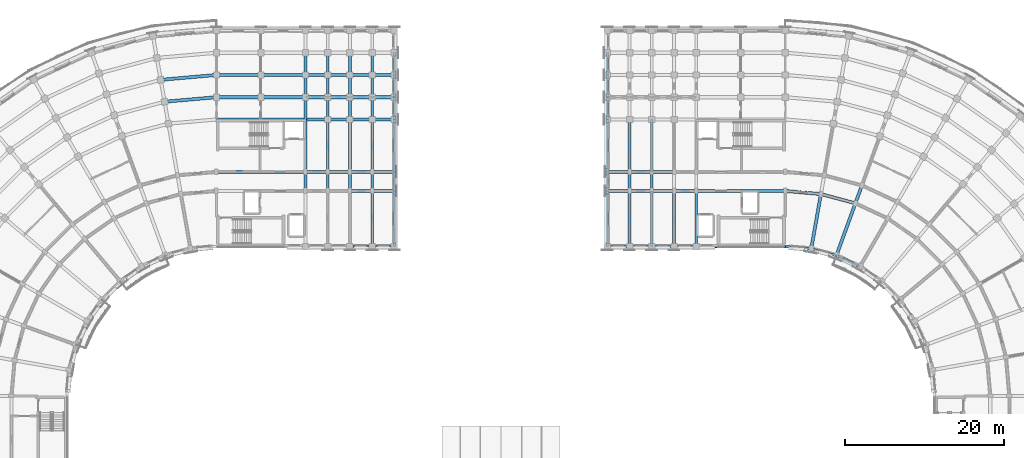
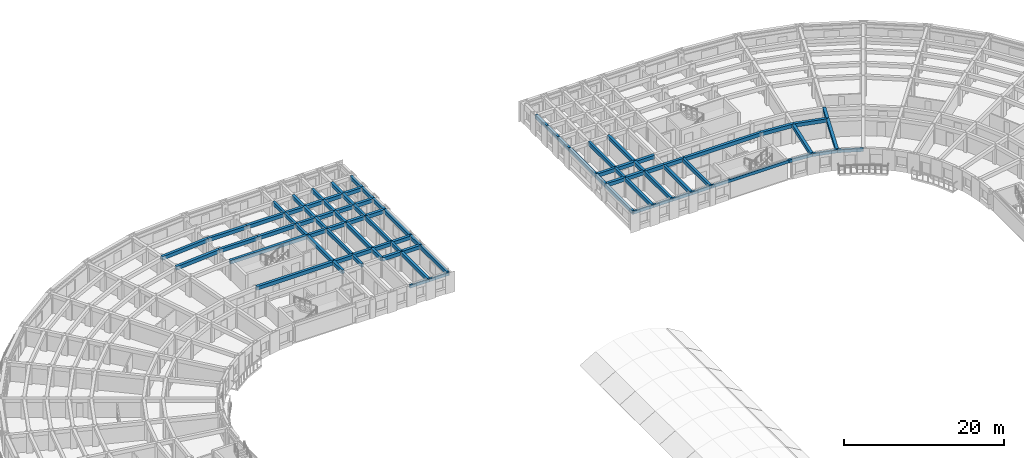
# One storey, part 9 of 54: 90 beams.
"""IFC4 building model written with IfcOpenShell, lengths in metres."""

from ifc_helpers import new_model, si_unit, direction, frame, origin, origin_2d, place, context, subcontext, project, spatial, rectangle, extrude, material, material_profile, profile_set, type_object, element, save


model = new_model("IFC4")

# Units and contexts
model_context = context("Model", 3, precision=1e-05, world=origin(), true_north=direction((0.0, 1.0)))
body_context = subcontext(model_context, "Body", "Model", "MODEL_VIEW")
ifc_project = project(units=[si_unit("LENGTHUNIT", "METRE"), si_unit("AREAUNIT", "SQUARE_METRE"), si_unit("VOLUMEUNIT", "CUBIC_METRE"), si_unit("PLANEANGLEUNIT", "RADIAN"), si_unit("MASSUNIT", "GRAM", prefix="KILO")], contexts=[model_context])

# Site, building, storey
site_placement = place(None, origin())
site = spatial("IfcSite", under=ifc_project, at=site_placement, CompositionType="ELEMENT")
building_placement = place(site_placement, origin())
building = spatial("IfcBuilding", under=site, at=building_placement, Name="Kiranvali Square Residences", CompositionType="ELEMENT")
storey_placement = place(building_placement, frame((0.0, 0.0, 15.0)))
storey = spatial("IfcBuildingStorey", under=building, at=storey_placement, Name="L04", CompositionType="ELEMENT", Elevation=15.0)

# Beams
ifc_material_1 = material(Name="Concrete M40 (40 MPa)", Category="concrete")
ifc_material_profile_1 = material_profile(ifc_material_1, rectangle(XDim=0.35009765625, YDim=0.550048828125, at=origin_2d()), Name="RC 350x550")
ifc_profile_set_1 = profile_set([ifc_material_profile_1], Name="Concrete M40 (40 MPa)")
beam_type_1 = type_object("IfcBeamType", Name="BM-M40-350x550", PredefinedType="BEAM", material=ifc_profile_set_1)
beam_1_placement = place(storey_placement, frame((59.39990234375, 113.60009765625, 2.655029296875), z_axis=(0.0, 1.0, 0.0), x_axis=(-1.0, 0.0, 0.0)))
element("IfcBeam", 1, at=beam_1_placement, inside=storey, type_object=beam_type_1, Name="L04 beam BM-A-L04-A1T1-12", PredefinedType="BEAM", context=body_context, shape_type="SweptSolid", body=[
    extrude(rectangle(XDim=0.35009765625, YDim=0.550048828125, at=origin_2d()), origin(), (0.0, 0.0, 1.0), 2.39990234375),
])
beam_2_placement = place(storey_placement, frame((59.39990234375, 116.0, 2.655029296875), z_axis=(0.0, 1.0, 0.0), x_axis=(-1.0, 0.0, 0.0)))
element("IfcBeam", 2, at=beam_2_placement, inside=storey, type_object=beam_type_1, Name="L04 beam BM-A-L04-A1T1-23", PredefinedType="BEAM", context=body_context, shape_type="SweptSolid", body=[
    extrude(rectangle(XDim=0.35009765625, YDim=0.550048828125, at=origin_2d()), origin(), (0.0, 0.0, 1.0), 6.60009765625),
])
beam_3_placement = place(storey_placement, frame((59.39990234375, 122.60009765625, 2.655029296875), z_axis=(0.0, 1.0, 0.0), x_axis=(-1.0, 0.0, 0.0)))
element("IfcBeam", 3, at=beam_3_placement, inside=storey, type_object=beam_type_1, Name="L04 beam BM-A-L04-A1T1-34", PredefinedType="BEAM", context=body_context, shape_type="SweptSolid", body=[
    extrude(rectangle(XDim=0.35009765625, YDim=0.550048828125, at=origin_2d()), origin(), (0.0, 0.0, 1.0), 2.7998046875),
])
for number, where, z_axis, x_axis, name in (
    (4, (59.39990234375, 125.39990234375, 2.655029296875), (0.0, 1.0, 0.0), (-1.0, 0.0, 0.0), "L04 beam BM-A-L04-A1T1-45"),
    (5, (59.39990234375, 128.199951171875, 2.655029296875), (0.0, 1.0, 0.0), (-1.0, 0.0, 0.0), "L04 beam BM-A-L04-A1T1-56"),
):
    element("IfcBeam", number, at=place(storey_placement, frame(where, z_axis=z_axis, x_axis=x_axis)), inside=storey, type_object=beam_type_1, Name=name, PredefinedType="BEAM", context=body_context, shape_type="SweptSolid", body=[
        extrude(rectangle(XDim=0.35009765625, YDim=0.550048828125, at=origin_2d()), origin(), (0.0, 0.0, 1.0), 2.800048828125),
    ])
beam_4_placement = place(storey_placement, frame((62.199951171875, 113.60009765625, 2.655029296875), z_axis=(0.0, 1.0, 0.0), x_axis=(-1.0, 0.0, 0.0)))
element("IfcBeam", 6, at=beam_4_placement, inside=storey, type_object=beam_type_1, Name="L04 beam BM-A-L04-A1T2-12", PredefinedType="BEAM", context=body_context, shape_type="SweptSolid", body=[
    extrude(rectangle(XDim=0.35009765625, YDim=0.550048828125, at=origin_2d()), origin(), (0.0, 0.0, 1.0), 2.39990234375),
])
beam_5_placement = place(storey_placement, frame((62.199951171875, 116.0, 2.655029296875), z_axis=(0.0, 1.0, 0.0), x_axis=(-1.0, 0.0, 0.0)))
element("IfcBeam", 7, at=beam_5_placement, inside=storey, type_object=beam_type_1, Name="L04 beam BM-A-L04-A1T2-23", PredefinedType="BEAM", context=body_context, shape_type="SweptSolid", body=[
    extrude(rectangle(XDim=0.35009765625, YDim=0.550048828125, at=origin_2d()), origin(), (0.0, 0.0, 1.0), 6.60009765625),
])
beam_6_placement = place(storey_placement, frame((62.199951171875, 122.60009765625, 2.655029296875), z_axis=(0.0, 1.0, 0.0), x_axis=(-1.0, 0.0, 0.0)))
element("IfcBeam", 8, at=beam_6_placement, inside=storey, type_object=beam_type_1, Name="L04 beam BM-A-L04-A1T2-34", PredefinedType="BEAM", context=body_context, shape_type="SweptSolid", body=[
    extrude(rectangle(XDim=0.35009765625, YDim=0.550048828125, at=origin_2d()), origin(), (0.0, 0.0, 1.0), 2.7998046875),
])
for number, where, z_axis, x_axis, name in (
    (9, (62.199951171875, 125.39990234375, 2.655029296875), (0.0, 1.0, 0.0), (-1.0, 0.0, 0.0), "L04 beam BM-A-L04-A1T2-45"),
    (10, (62.199951171875, 128.199951171875, 2.655029296875), (0.0, 1.0, 0.0), (-1.0, 0.0, 0.0), "L04 beam BM-A-L04-A1T2-56"),
):
    element("IfcBeam", number, at=place(storey_placement, frame(where, z_axis=z_axis, x_axis=x_axis)), inside=storey, type_object=beam_type_1, Name=name, PredefinedType="BEAM", context=body_context, shape_type="SweptSolid", body=[
        extrude(rectangle(XDim=0.35009765625, YDim=0.550048828125, at=origin_2d()), origin(), (0.0, 0.0, 1.0), 2.800048828125),
    ])
beam_7_placement = place(storey_placement, frame((65.0, 113.60009765625, 2.655029296875), z_axis=(0.0, 1.0, 0.0), x_axis=(-1.0, 0.0, 0.0)))
element("IfcBeam", 11, at=beam_7_placement, inside=storey, type_object=beam_type_1, Name="L04 beam BM-A-L04-A1T3-12", PredefinedType="BEAM", context=body_context, shape_type="SweptSolid", body=[
    extrude(rectangle(XDim=0.35009765625, YDim=0.550048828125, at=origin_2d()), origin(), (0.0, 0.0, 1.0), 2.39990234375),
])
beam_8_placement = place(storey_placement, frame((65.0, 116.0, 2.655029296875), z_axis=(0.0, 1.0, 0.0), x_axis=(-1.0, 0.0, 0.0)))
element("IfcBeam", 12, at=beam_8_placement, inside=storey, type_object=beam_type_1, Name="L04 beam BM-A-L04-A1T3-23", PredefinedType="BEAM", context=body_context, shape_type="SweptSolid", body=[
    extrude(rectangle(XDim=0.35009765625, YDim=0.550048828125, at=origin_2d()), origin(), (0.0, 0.0, 1.0), 6.60009765625),
])
beam_9_placement = place(storey_placement, frame((65.0, 122.60009765625, 2.655029296875), z_axis=(0.0, 1.0, 0.0), x_axis=(-1.0, 0.0, 0.0)))
element("IfcBeam", 13, at=beam_9_placement, inside=storey, type_object=beam_type_1, Name="L04 beam BM-A-L04-A1T3-34", PredefinedType="BEAM", context=body_context, shape_type="SweptSolid", body=[
    extrude(rectangle(XDim=0.35009765625, YDim=0.550048828125, at=origin_2d()), origin(), (0.0, 0.0, 1.0), 2.7998046875),
])
for number, where, z_axis, x_axis, name in (
    (14, (65.0, 125.39990234375, 2.655029296875), (0.0, 1.0, 0.0), (-1.0, 0.0, 0.0), "L04 beam BM-A-L04-A1T3-45"),
    (15, (65.0, 128.199951171875, 2.655029296875), (0.0, 1.0, 0.0), (-1.0, 0.0, 0.0), "L04 beam BM-A-L04-A1T3-56"),
):
    element("IfcBeam", number, at=place(storey_placement, frame(where, z_axis=z_axis, x_axis=x_axis)), inside=storey, type_object=beam_type_1, Name=name, PredefinedType="BEAM", context=body_context, shape_type="SweptSolid", body=[
        extrude(rectangle(XDim=0.35009765625, YDim=0.550048828125, at=origin_2d()), origin(), (0.0, 0.0, 1.0), 2.800048828125),
    ])
beam_10_placement = place(storey_placement, frame((67.800048828125, 106.60009765625, 2.655029296875), z_axis=(0.0, 1.0, 0.0), x_axis=(-1.0, 0.0, 0.0)))
element("IfcBeam", 16, at=beam_10_placement, inside=storey, type_object=beam_type_1, Name="L04 beam BM-A-L04-A1T4-01", PredefinedType="BEAM", context=body_context, shape_type="SweptSolid", body=[
    extrude(rectangle(XDim=0.35009765625, YDim=0.550048828125, at=origin_2d()), origin(), (0.0, 0.0, 1.0), 7.0),
])
beam_11_placement = place(storey_placement, frame((67.800048828125, 113.60009765625, 2.655029296875), z_axis=(0.0, 1.0, 0.0), x_axis=(-1.0, 0.0, 0.0)))
element("IfcBeam", 17, at=beam_11_placement, inside=storey, type_object=beam_type_1, Name="L04 beam BM-A-L04-A1T4-12", PredefinedType="BEAM", context=body_context, shape_type="SweptSolid", body=[
    extrude(rectangle(XDim=0.35009765625, YDim=0.550048828125, at=origin_2d()), origin(), (0.0, 0.0, 1.0), 2.39990234375),
])
beam_12_placement = place(storey_placement, frame((67.800048828125, 116.0, 2.655029296875), z_axis=(0.0, 1.0, 0.0), x_axis=(-1.0, 0.0, 0.0)))
element("IfcBeam", 18, at=beam_12_placement, inside=storey, type_object=beam_type_1, Name="L04 beam BM-A-L04-A1T4-23", PredefinedType="BEAM", context=body_context, shape_type="SweptSolid", body=[
    extrude(rectangle(XDim=0.35009765625, YDim=0.550048828125, at=origin_2d()), origin(), (0.0, 0.0, 1.0), 6.60009765625),
])
beam_13_placement = place(storey_placement, frame((67.800048828125, 122.60009765625, 2.655029296875), z_axis=(0.0, 1.0, 0.0), x_axis=(-1.0, 0.0, 0.0)))
element("IfcBeam", 19, at=beam_13_placement, inside=storey, type_object=beam_type_1, Name="L04 beam BM-A-L04-A1T4-34", PredefinedType="BEAM", context=body_context, shape_type="SweptSolid", body=[
    extrude(rectangle(XDim=0.35009765625, YDim=0.550048828125, at=origin_2d()), origin(), (0.0, 0.0, 1.0), 2.7998046875),
])
for number, where, z_axis, x_axis, name in (
    (20, (67.800048828125, 125.39990234375, 2.655029296875), (0.0, 1.0, 0.0), (-1.0, 0.0, 0.0), "L04 beam BM-A-L04-A1T4-45"),
    (21, (67.800048828125, 128.199951171875, 2.655029296875), (0.0, 1.0, 0.0), (-1.0, 0.0, 0.0), "L04 beam BM-A-L04-A1T4-56"),
):
    element("IfcBeam", number, at=place(storey_placement, frame(where, z_axis=z_axis, x_axis=x_axis)), inside=storey, type_object=beam_type_1, Name=name, PredefinedType="BEAM", context=body_context, shape_type="SweptSolid", body=[
        extrude(rectangle(XDim=0.35009765625, YDim=0.550048828125, at=origin_2d()), origin(), (0.0, 0.0, 1.0), 2.800048828125),
    ])
beam_14_placement = place(storey_placement, frame((70.60009765625, 106.60009765625, 2.655029296875), z_axis=(0.0, 1.0, 0.0), x_axis=(-1.0, 0.0, 0.0)))
element("IfcBeam", 22, at=beam_14_placement, inside=storey, type_object=beam_type_1, Name="L04 beam BM-A-L04-A1T5-01", PredefinedType="BEAM", context=body_context, shape_type="SweptSolid", body=[
    extrude(rectangle(XDim=0.35009765625, YDim=0.550048828125, at=origin_2d()), origin(), (0.0, 0.0, 1.0), 7.0),
])
beam_15_placement = place(storey_placement, frame((70.60009765625, 113.60009765625, 2.655029296875), z_axis=(0.0, 1.0, 0.0), x_axis=(-1.0, 0.0, 0.0)))
element("IfcBeam", 23, at=beam_15_placement, inside=storey, type_object=beam_type_1, Name="L04 beam BM-A-L04-A1T5-12", PredefinedType="BEAM", context=body_context, shape_type="SweptSolid", body=[
    extrude(rectangle(XDim=0.35009765625, YDim=0.550048828125, at=origin_2d()), origin(), (0.0, 0.0, 1.0), 2.39990234375),
])
beam_16_placement = place(storey_placement, frame((70.60009765625, 116.0, 2.655029296875), z_axis=(0.0, 1.0, 0.0), x_axis=(-1.0, 0.0, 0.0)))
element("IfcBeam", 24, at=beam_16_placement, inside=storey, type_object=beam_type_1, Name="L04 beam BM-A-L04-A1T5-23", PredefinedType="BEAM", context=body_context, shape_type="SweptSolid", body=[
    extrude(rectangle(XDim=0.35009765625, YDim=0.550048828125, at=origin_2d()), origin(), (0.0, 0.0, 1.0), 6.60009765625),
])
beam_17_placement = place(storey_placement, frame((70.60009765625, 122.60009765625, 2.655029296875), z_axis=(0.0, 1.0, 0.0), x_axis=(-1.0, 0.0, 0.0)))
element("IfcBeam", 25, at=beam_17_placement, inside=storey, type_object=beam_type_1, Name="L04 beam BM-A-L04-A1T5-34", PredefinedType="BEAM", context=body_context, shape_type="SweptSolid", body=[
    extrude(rectangle(XDim=0.35009765625, YDim=0.550048828125, at=origin_2d()), origin(), (0.0, 0.0, 1.0), 2.7998046875),
])
for number, where, z_axis, x_axis, name in (
    (26, (70.60009765625, 125.39990234375, 2.655029296875), (0.0, 1.0, 0.0), (-1.0, 0.0, 0.0), "L04 beam BM-A-L04-A1T5-45"),
    (27, (70.60009765625, 128.199951171875, 2.655029296875), (0.0, 1.0, 0.0), (-1.0, 0.0, 0.0), "L04 beam BM-A-L04-A1T5-56"),
):
    element("IfcBeam", number, at=place(storey_placement, frame(where, z_axis=z_axis, x_axis=x_axis)), inside=storey, type_object=beam_type_1, Name=name, PredefinedType="BEAM", context=body_context, shape_type="SweptSolid", body=[
        extrude(rectangle(XDim=0.35009765625, YDim=0.550048828125, at=origin_2d()), origin(), (0.0, 0.0, 1.0), 2.800048828125),
    ])
for number, where, z_axis, x_axis, name in (
    (28, (108.60009765625, 106.60009765625, 2.655029296875), (0.0, 1.0, 0.0), (-1.0, 0.0, 0.0), "L04 beam BM-B-L04-A1T1-01"),
    (29, (105.800048828125, 106.60009765625, 2.655029296875), (0.0, 1.0, 0.0), (-1.0, 0.0, 0.0), "L04 beam BM-B-L04-A1T2-01"),
    (30, (103.0, 106.60009765625, 2.655029296875), (0.0, 1.0, 0.0), (-1.0, 0.0, 0.0), "L04 beam BM-B-L04-A1T3-01"),
):
    element("IfcBeam", number, at=place(storey_placement, frame(where, z_axis=z_axis, x_axis=x_axis)), inside=storey, type_object=beam_type_1, Name=name, PredefinedType="BEAM", context=body_context, shape_type="SweptSolid", body=[
        extrude(rectangle(XDim=0.35009765625, YDim=0.550048828125, at=origin_2d()), origin(), (0.0, 0.0, 1.0), 7.0),
    ])
beam_18_placement = place(storey_placement, frame((103.0, 113.60009765625, 2.655029296875), z_axis=(0.0, 1.0, 0.0), x_axis=(-1.0, 0.0, 0.0)))
element("IfcBeam", 31, at=beam_18_placement, inside=storey, type_object=beam_type_1, Name="L04 beam BM-B-L04-A1T3-12", PredefinedType="BEAM", context=body_context, shape_type="SweptSolid", body=[
    extrude(rectangle(XDim=0.35009765625, YDim=0.550048828125, at=origin_2d()), origin(), (0.0, 0.0, 1.0), 2.39990234375),
])
beam_19_placement = place(storey_placement, frame((103.0, 116.0, 2.655029296875), z_axis=(0.0, 1.0, 0.0), x_axis=(-1.0, 0.0, 0.0)))
element("IfcBeam", 32, at=beam_19_placement, inside=storey, type_object=beam_type_1, Name="L04 beam BM-B-L04-A1T3-23", PredefinedType="BEAM", context=body_context, shape_type="SweptSolid", body=[
    extrude(rectangle(XDim=0.35009765625, YDim=0.550048828125, at=origin_2d()), origin(), (0.0, 0.0, 1.0), 6.60009765625),
])
beam_20_placement = place(storey_placement, frame((100.199951171875, 106.60009765625, 2.655029296875), z_axis=(0.0, 1.0, 0.0), x_axis=(-1.0, 0.0, 0.0)))
element("IfcBeam", 33, at=beam_20_placement, inside=storey, type_object=beam_type_1, Name="L04 beam BM-B-L04-A1T4-01", PredefinedType="BEAM", context=body_context, shape_type="SweptSolid", body=[
    extrude(rectangle(XDim=0.35009765625, YDim=0.550048828125, at=origin_2d()), origin(), (0.0, 0.0, 1.0), 7.0),
])
beam_21_placement = place(storey_placement, frame((100.199951171875, 113.60009765625, 2.655029296875), z_axis=(0.0, 1.0, 0.0), x_axis=(-1.0, 0.0, 0.0)))
element("IfcBeam", 34, at=beam_21_placement, inside=storey, type_object=beam_type_1, Name="L04 beam BM-B-L04-A1T4-12", PredefinedType="BEAM", context=body_context, shape_type="SweptSolid", body=[
    extrude(rectangle(XDim=0.35009765625, YDim=0.550048828125, at=origin_2d()), origin(), (0.0, 0.0, 1.0), 2.39990234375),
])
beam_22_placement = place(storey_placement, frame((100.199951171875, 116.0, 2.655029296875), z_axis=(0.0, 1.0, 0.0), x_axis=(-1.0, 0.0, 0.0)))
element("IfcBeam", 35, at=beam_22_placement, inside=storey, type_object=beam_type_1, Name="L04 beam BM-B-L04-A1T4-23", PredefinedType="BEAM", context=body_context, shape_type="SweptSolid", body=[
    extrude(rectangle(XDim=0.35009765625, YDim=0.550048828125, at=origin_2d()), origin(), (0.0, 0.0, 1.0), 6.60009765625),
])
beam_23_placement = place(storey_placement, frame((97.39990234375, 106.60009765625, 2.655029296875), z_axis=(0.0, 1.0, 0.0), x_axis=(-1.0, 0.0, 0.0)))
element("IfcBeam", 36, at=beam_23_placement, inside=storey, type_object=beam_type_1, Name="L04 beam BM-B-L04-A1T5-01", PredefinedType="BEAM", context=body_context, shape_type="SweptSolid", body=[
    extrude(rectangle(XDim=0.35009765625, YDim=0.550048828125, at=origin_2d()), origin(), (0.0, 0.0, 1.0), 7.0),
])
beam_24_placement = place(storey_placement, frame((97.39990234375, 113.60009765625, 2.655029296875), z_axis=(0.0, 1.0, 0.0), x_axis=(-1.0, 0.0, 0.0)))
element("IfcBeam", 37, at=beam_24_placement, inside=storey, type_object=beam_type_1, Name="L04 beam BM-B-L04-A1T5-12", PredefinedType="BEAM", context=body_context, shape_type="SweptSolid", body=[
    extrude(rectangle(XDim=0.35009765625, YDim=0.550048828125, at=origin_2d()), origin(), (0.0, 0.0, 1.0), 2.39990234375),
])
beam_25_placement = place(storey_placement, frame((97.39990234375, 116.0, 2.655029296875), z_axis=(0.0, 1.0, 0.0), x_axis=(-1.0, 0.0, 0.0)))
element("IfcBeam", 38, at=beam_25_placement, inside=storey, type_object=beam_type_1, Name="L04 beam BM-B-L04-A1T5-23", PredefinedType="BEAM", context=body_context, shape_type="SweptSolid", body=[
    extrude(rectangle(XDim=0.35009765625, YDim=0.550048828125, at=origin_2d()), origin(), (0.0, 0.0, 1.0), 6.60009765625),
])
beam_26_placement = place(storey_placement, frame((97.39990234375, 122.60009765625, 2.655029296875), z_axis=(0.0, 1.0, 0.0), x_axis=(-1.0, 0.0, 0.0)))
element("IfcBeam", 39, at=beam_26_placement, inside=storey, type_object=beam_type_1, Name="L04 beam BM-B-L04-A1T5-34", PredefinedType="BEAM", context=body_context, shape_type="SweptSolid", body=[
    extrude(rectangle(XDim=0.35009765625, YDim=0.550048828125, at=origin_2d()), origin(), (0.0, 0.0, 1.0), 2.7998046875),
])
for number, where, z_axis, x_axis, name in (
    (40, (97.39990234375, 125.39990234375, 2.655029296875), (0.0, 1.0, 0.0), (-1.0, 0.0, 0.0), "L04 beam BM-B-L04-A1T5-45"),
    (41, (97.39990234375, 128.199951171875, 2.655029296875), (0.0, 1.0, 0.0), (-1.0, 0.0, 0.0), "L04 beam BM-B-L04-A1T5-56"),
):
    element("IfcBeam", number, at=place(storey_placement, frame(where, z_axis=z_axis, x_axis=x_axis)), inside=storey, type_object=beam_type_1, Name=name, PredefinedType="BEAM", context=body_context, shape_type="SweptSolid", body=[
        extrude(rectangle(XDim=0.35009765625, YDim=0.550048828125, at=origin_2d()), origin(), (0.0, 0.0, 1.0), 2.800048828125),
    ])
ifc_material_2 = material(Name="Concrete M45 (45 MPa)", Category="concrete")
ifc_material_profile_2 = material_profile(ifc_material_2, rectangle(XDim=0.39990234375, YDim=0.550048828125, at=origin_2d()), Name="RC 400x550")
ifc_profile_set_2 = profile_set([ifc_material_profile_2], Name="Concrete M45 (45 MPa)")
beam_type_2 = type_object("IfcBeamType", Name="BM-M45-400x550", PredefinedType="BEAM", material=ifc_profile_set_2)
beam_27_placement = place(storey_placement, frame((48.199951171875, 125.39990234375, 2.655029296875), z_axis=(-0.996196991902, -0.0871295204, 0.0), x_axis=(0.0871295204, -0.996196991902, 0.0)))
element("IfcBeam", 42, at=beam_27_placement, inside=storey, type_object=beam_type_2, Name="L04 beam BM-A-L04-C00-R4", PredefinedType="BEAM", context=body_context, shape_type="SweptSolid", body=[
    extrude(rectangle(XDim=0.39990234375, YDim=0.550048828125, at=origin_2d()), origin(), (0.0, 0.0, 1.0), 6.553955078125),
])
beam_28_placement = place(storey_placement, frame((48.199951171875, 128.199951171875, 2.655029296875), z_axis=(-0.996194658198, -0.087156198737, 0.0), x_axis=(0.087156198737, -0.996194658198, 0.0)))
element("IfcBeam", 43, at=beam_28_placement, inside=storey, type_object=beam_type_2, Name="L04 beam BM-A-L04-C00-R5", PredefinedType="BEAM", context=body_context, shape_type="SweptSolid", body=[
    extrude(rectangle(XDim=0.39990234375, YDim=0.550048828125, at=origin_2d()), origin(), (0.0, 0.0, 1.0), 7.042236328125),
])
for number, where, z_axis, x_axis, name in (
    (44, (65.0, 113.60009765625, 2.655029296875), (1.0, 0.0, 0.0), (0.0, 1.0, 0.0), "L04 beam BM-A-L04-A1U3-R1"),
    (45, (67.800048828125, 113.60009765625, 2.655029296875), (1.0, 0.0, 0.0), (0.0, 1.0, 0.0), "L04 beam BM-A-L04-A1U4-R1"),
):
    element("IfcBeam", number, at=place(storey_placement, frame(where, z_axis=z_axis, x_axis=x_axis)), inside=storey, type_object=beam_type_2, Name=name, PredefinedType="BEAM", context=body_context, shape_type="SweptSolid", body=[
        extrude(rectangle(XDim=0.39990234375, YDim=0.550048828125, at=origin_2d()), origin(), (0.0, 0.0, 1.0), 2.800048828125),
    ])
beam_29_placement = place(storey_placement, frame((48.199951171875, 116.0, 2.655029296875), z_axis=(1.0, 0.0, 0.0), x_axis=(0.0, 1.0, 0.0)))
element("IfcBeam", 46, at=beam_29_placement, inside=storey, type_object=beam_type_2, Name="L04 beam BM-A-L04-A1U0-R2", PredefinedType="BEAM", context=body_context, shape_type="SweptSolid", body=[
    extrude(rectangle(XDim=0.39990234375, YDim=0.550048828125, at=origin_2d()), origin(), (0.0, 0.0, 1.0), 11.199951171875),
])
for number, where, z_axis, x_axis, name in (
    (47, (59.39990234375, 116.0, 2.655029296875), (1.0, 0.0, 0.0), (0.0, 1.0, 0.0), "L04 beam BM-A-L04-A1U1-R2"),
    (48, (62.199951171875, 116.0, 2.655029296875), (1.0, 0.0, 0.0), (0.0, 1.0, 0.0), "L04 beam BM-A-L04-A1U2-R2"),
    (49, (65.0, 116.0, 2.655029296875), (1.0, 0.0, 0.0), (0.0, 1.0, 0.0), "L04 beam BM-A-L04-A1U3-R2"),
    (50, (67.800048828125, 116.0, 2.655029296875), (1.0, 0.0, 0.0), (0.0, 1.0, 0.0), "L04 beam BM-A-L04-A1U4-R2"),
):
    element("IfcBeam", number, at=place(storey_placement, frame(where, z_axis=z_axis, x_axis=x_axis)), inside=storey, type_object=beam_type_2, Name=name, PredefinedType="BEAM", context=body_context, shape_type="SweptSolid", body=[
        extrude(rectangle(XDim=0.39990234375, YDim=0.550048828125, at=origin_2d()), origin(), (0.0, 0.0, 1.0), 2.800048828125),
    ])
beam_30_placement = place(storey_placement, frame((48.199951171875, 122.60009765625, 2.655029296875), z_axis=(1.0, 0.0, 0.0), x_axis=(0.0, 1.0, 0.0)))
element("IfcBeam", 51, at=beam_30_placement, inside=storey, type_object=beam_type_2, Name="L04 beam BM-A-L04-A1U0-R3", PredefinedType="BEAM", context=body_context, shape_type="SweptSolid", body=[
    extrude(rectangle(XDim=0.39990234375, YDim=0.550048828125, at=origin_2d()), origin(), (0.0, 0.0, 1.0), 11.199951171875),
])
for number, where, z_axis, x_axis, name in (
    (52, (59.39990234375, 122.60009765625, 2.655029296875), (1.0, 0.0, 0.0), (0.0, 1.0, 0.0), "L04 beam BM-A-L04-A1U1-R3"),
    (53, (62.199951171875, 122.60009765625, 2.655029296875), (1.0, 0.0, 0.0), (0.0, 1.0, 0.0), "L04 beam BM-A-L04-A1U2-R3"),
    (54, (65.0, 122.60009765625, 2.655029296875), (1.0, 0.0, 0.0), (0.0, 1.0, 0.0), "L04 beam BM-A-L04-A1U3-R3"),
    (55, (67.800048828125, 122.60009765625, 2.655029296875), (1.0, 0.0, 0.0), (0.0, 1.0, 0.0), "L04 beam BM-A-L04-A1U4-R3"),
):
    element("IfcBeam", number, at=place(storey_placement, frame(where, z_axis=z_axis, x_axis=x_axis)), inside=storey, type_object=beam_type_2, Name=name, PredefinedType="BEAM", context=body_context, shape_type="SweptSolid", body=[
        extrude(rectangle(XDim=0.39990234375, YDim=0.550048828125, at=origin_2d()), origin(), (0.0, 0.0, 1.0), 2.800048828125),
    ])
beam_31_placement = place(storey_placement, frame((48.199951171875, 125.39990234375, 2.655029296875), z_axis=(1.0, 0.0, 0.0), x_axis=(0.0, 1.0, 0.0)))
element("IfcBeam", 56, at=beam_31_placement, inside=storey, type_object=beam_type_2, Name="L04 beam BM-A-L04-A1U0-R4", PredefinedType="BEAM", context=body_context, shape_type="SweptSolid", body=[
    extrude(rectangle(XDim=0.39990234375, YDim=0.550048828125, at=origin_2d()), origin(), (0.0, 0.0, 1.0), 5.60009765625),
])
beam_32_placement = place(storey_placement, frame((53.800048828125, 125.39990234375, 2.655029296875), z_axis=(1.0, 0.0, 0.0), x_axis=(0.0, 1.0, 0.0)))
element("IfcBeam", 57, at=beam_32_placement, inside=storey, type_object=beam_type_2, Name="L04 beam BM-A-L04-A1U1-R4", PredefinedType="BEAM", context=body_context, shape_type="SweptSolid", body=[
    extrude(rectangle(XDim=0.39990234375, YDim=0.550048828125, at=origin_2d()), origin(), (0.0, 0.0, 1.0), 5.599853515625),
])
for number, where, z_axis, x_axis, name in (
    (58, (59.39990234375, 125.39990234375, 2.655029296875), (1.0, 0.0, 0.0), (0.0, 1.0, 0.0), "L04 beam BM-A-L04-A1U2-R4"),
    (59, (62.199951171875, 125.39990234375, 2.655029296875), (1.0, 0.0, 0.0), (0.0, 1.0, 0.0), "L04 beam BM-A-L04-A1U3-R4"),
    (60, (65.0, 125.39990234375, 2.655029296875), (1.0, 0.0, 0.0), (0.0, 1.0, 0.0), "L04 beam BM-A-L04-A1U4-R4"),
    (61, (67.800048828125, 125.39990234375, 2.655029296875), (1.0, 0.0, 0.0), (0.0, 1.0, 0.0), "L04 beam BM-A-L04-A1U5-R4"),
):
    element("IfcBeam", number, at=place(storey_placement, frame(where, z_axis=z_axis, x_axis=x_axis)), inside=storey, type_object=beam_type_2, Name=name, PredefinedType="BEAM", context=body_context, shape_type="SweptSolid", body=[
        extrude(rectangle(XDim=0.39990234375, YDim=0.550048828125, at=origin_2d()), origin(), (0.0, 0.0, 1.0), 2.800048828125),
    ])
beam_33_placement = place(storey_placement, frame((48.199951171875, 128.199951171875, 2.655029296875), z_axis=(1.0, 0.0, 0.0), x_axis=(0.0, 1.0, 0.0)))
element("IfcBeam", 62, at=beam_33_placement, inside=storey, type_object=beam_type_2, Name="L04 beam BM-A-L04-A1U0-R5", PredefinedType="BEAM", context=body_context, shape_type="SweptSolid", body=[
    extrude(rectangle(XDim=0.39990234375, YDim=0.550048828125, at=origin_2d()), origin(), (0.0, 0.0, 1.0), 5.60009765625),
])
beam_34_placement = place(storey_placement, frame((53.800048828125, 128.199951171875, 2.655029296875), z_axis=(1.0, 0.0, 0.0), x_axis=(0.0, 1.0, 0.0)))
element("IfcBeam", 63, at=beam_34_placement, inside=storey, type_object=beam_type_2, Name="L04 beam BM-A-L04-A1U1-R5", PredefinedType="BEAM", context=body_context, shape_type="SweptSolid", body=[
    extrude(rectangle(XDim=0.39990234375, YDim=0.550048828125, at=origin_2d()), origin(), (0.0, 0.0, 1.0), 5.599853515625),
])
for number, where, z_axis, x_axis, name in (
    (64, (59.39990234375, 128.199951171875, 2.655029296875), (1.0, 0.0, 0.0), (0.0, 1.0, 0.0), "L04 beam BM-A-L04-A1U2-R5"),
    (65, (62.199951171875, 128.199951171875, 2.655029296875), (1.0, 0.0, 0.0), (0.0, 1.0, 0.0), "L04 beam BM-A-L04-A1U3-R5"),
    (66, (65.0, 128.199951171875, 2.655029296875), (1.0, 0.0, 0.0), (0.0, 1.0, 0.0), "L04 beam BM-A-L04-A1U4-R5"),
    (67, (67.800048828125, 128.199951171875, 2.655029296875), (1.0, 0.0, 0.0), (0.0, 1.0, 0.0), "L04 beam BM-A-L04-A1U5-R5"),
):
    element("IfcBeam", number, at=place(storey_placement, frame(where, z_axis=z_axis, x_axis=x_axis)), inside=storey, type_object=beam_type_2, Name=name, PredefinedType="BEAM", context=body_context, shape_type="SweptSolid", body=[
        extrude(rectangle(XDim=0.39990234375, YDim=0.550048828125, at=origin_2d()), origin(), (0.0, 0.0, 1.0), 2.800048828125),
    ])
beam_35_placement = place(storey_placement, frame((119.800048828125, 113.60009765625, 2.655029296875), z_axis=(0.996191949488, -0.087187153726, 0.0), x_axis=(0.087187153726, 0.996191949488, 0.0)))
element("IfcBeam", 68, at=beam_35_placement, inside=storey, type_object=beam_type_2, Name="L04 beam BM-B-L04-C00-R1", PredefinedType="BEAM", context=body_context, shape_type="SweptSolid", body=[
    extrude(rectangle(XDim=0.39990234375, YDim=0.550048828125, at=origin_2d()), origin(), (0.0, 0.0, 1.0), 4.4970703125),
])
beam_36_placement = place(storey_placement, frame((124.280029296875, 113.2080078125, 2.655029296875), z_axis=(0.965934240054, -0.258787642463, 0.0), x_axis=(0.258787642463, 0.965934240054, 0.0)))
element("IfcBeam", 69, at=beam_36_placement, inside=storey, type_object=beam_type_2, Name="L04 beam BM-B-L04-C01-R1", PredefinedType="BEAM", context=body_context, shape_type="SweptSolid", body=[
    extrude(rectangle(XDim=0.39990234375, YDim=0.550048828125, at=origin_2d()), origin(), (0.0, 0.0, 1.0), 4.497314453125),
])
beam_37_placement = place(storey_placement, frame((123.064697265625, 106.314453125, 2.655029296875), z_axis=(0.173622177865, 0.984812337125, 0.0), x_axis=(-0.984812337125, 0.173622177865, 0.0)))
element("IfcBeam", 70, at=beam_37_placement, inside=storey, type_object=beam_type_2, Name="L04 beam BM-B-L04-RAD01-01", PredefinedType="BEAM", context=body_context, shape_type="SweptSolid", body=[
    extrude(rectangle(XDim=0.39990234375, YDim=0.550048828125, at=origin_2d()), origin(), (0.0, 0.0, 1.0), 6.999755859375),
])
beam_38_placement = place(storey_placement, frame((126.22998046875, 105.46630859375, 2.655029296875), z_axis=(0.342006283793, 0.939697665127, 0.0), x_axis=(-0.939697665127, 0.342006283793, 0.0)))
element("IfcBeam", 71, at=beam_38_placement, inside=storey, type_object=beam_type_2, Name="L04 beam BM-B-L04-RAD02-01", PredefinedType="BEAM", context=body_context, shape_type="SweptSolid", body=[
    extrude(rectangle(XDim=0.39990234375, YDim=0.550048828125, at=origin_2d()), origin(), (0.0, 0.0, 1.0), 7.0),
])
beam_39_placement = place(storey_placement, frame((128.6240234375, 112.044189453125, 2.655029296875), z_axis=(0.342110593602, 0.939659694648, 0.0), x_axis=(-0.939659694648, 0.342110593602, 0.0)))
element("IfcBeam", 72, at=beam_39_placement, inside=storey, type_object=beam_type_2, Name="L04 beam BM-B-L04-RAD02-12", PredefinedType="BEAM", context=body_context, shape_type="SweptSolid", body=[
    extrude(rectangle(XDim=0.39990234375, YDim=0.550048828125, at=origin_2d()), origin(), (0.0, 0.0, 1.0), 2.39990234375),
])
beam_40_placement = place(storey_placement, frame((119.800048828125, 113.60009765625, 2.655029296875), z_axis=(-1.0, 0.0, 0.0), x_axis=(0.0, -1.0, 0.0)))
element("IfcBeam", 73, at=beam_40_placement, inside=storey, type_object=beam_type_2, Name="L04 beam BM-B-L04-A1U0-R1", PredefinedType="BEAM", context=body_context, shape_type="SweptSolid", body=[
    extrude(rectangle(XDim=0.39990234375, YDim=0.550048828125, at=origin_2d()), origin(), (0.0, 0.0, 1.0), 11.199951171875),
])
for number, where, z_axis, x_axis, name in (
    (74, (108.60009765625, 113.60009765625, 2.655029296875), (-1.0, 0.0, 0.0), (0.0, -1.0, 0.0), "L04 beam BM-B-L04-A1U1-R1"),
    (75, (105.800048828125, 113.60009765625, 2.655029296875), (-1.0, 0.0, 0.0), (0.0, -1.0, 0.0), "L04 beam BM-B-L04-A1U2-R1"),
    (76, (103.0, 113.60009765625, 2.655029296875), (-1.0, 0.0, 0.0), (0.0, -1.0, 0.0), "L04 beam BM-B-L04-A1U3-R1"),
    (77, (100.199951171875, 113.60009765625, 2.655029296875), (-1.0, 0.0, 0.0), (0.0, -1.0, 0.0), "L04 beam BM-B-L04-A1U4-R1"),
    (78, (105.800048828125, 116.0, 2.655029296875), (-1.0, 0.0, 0.0), (0.0, -1.0, 0.0), "L04 beam BM-B-L04-A1U2-R2"),
    (79, (103.0, 116.0, 2.655029296875), (-1.0, 0.0, 0.0), (0.0, -1.0, 0.0), "L04 beam BM-B-L04-A1U3-R2"),
    (80, (100.199951171875, 116.0, 2.655029296875), (-1.0, 0.0, 0.0), (0.0, -1.0, 0.0), "L04 beam BM-B-L04-A1U4-R2"),
):
    element("IfcBeam", number, at=place(storey_placement, frame(where, z_axis=z_axis, x_axis=x_axis)), inside=storey, type_object=beam_type_2, Name=name, PredefinedType="BEAM", context=body_context, shape_type="SweptSolid", body=[
        extrude(rectangle(XDim=0.39990234375, YDim=0.550048828125, at=origin_2d()), origin(), (0.0, 0.0, 1.0), 2.800048828125),
    ])
ifc_material_profile_3 = material_profile(ifc_material_1, rectangle(XDim=0.25, YDim=0.449951171875, at=origin_2d()), Name="RC 250x450")
ifc_profile_set_3 = profile_set([ifc_material_profile_3], Name="Concrete M40 (40 MPa)")
beam_type_3 = type_object("IfcBeamType", Name="SPN-M40-250x450", PredefinedType="SPANDREL", material=ifc_profile_set_3)
for number, where, z_axis, x_axis, name in (
    (81, (65.0, 106.60009765625, 2.705078125), (1.0, 0.0, 0.0), (0.0, 1.0, 0.0), "L04 beam BM-A-L04-A1U3-R0"),
    (82, (67.800048828125, 106.60009765625, 2.705078125), (1.0, 0.0, 0.0), (0.0, 1.0, 0.0), "L04 beam BM-A-L04-A1U4-R0"),
):
    element("IfcBeam", number, at=place(storey_placement, frame(where, z_axis=z_axis, x_axis=x_axis)), inside=storey, type_object=beam_type_3, Name=name, PredefinedType="SPANDREL", context=body_context, shape_type="SweptSolid", body=[
        extrude(rectangle(XDim=0.25, YDim=0.449951171875, at=origin_2d()), origin(), (0.0, 0.0, 1.0), 2.800048828125),
    ])
beam_41_placement = place(storey_placement, frame((119.800048828125, 106.60009765625, 2.705078125), z_axis=(-1.0, 0.0, 0.0), x_axis=(0.0, -1.0, 0.0)))
element("IfcBeam", 83, at=beam_41_placement, inside=storey, type_object=beam_type_3, Name="L04 beam BM-B-L04-A1U0-R0", PredefinedType="SPANDREL", context=body_context, shape_type="SweptSolid", body=[
    extrude(rectangle(XDim=0.25, YDim=0.449951171875, at=origin_2d()), origin(), (0.0, 0.0, 1.0), 11.199951171875),
])
for number, where, z_axis, x_axis, name in (
    (84, (108.60009765625, 106.60009765625, 2.705078125), (-1.0, 0.0, 0.0), (0.0, -1.0, 0.0), "L04 beam BM-B-L04-A1U1-R0"),
    (85, (105.800048828125, 106.60009765625, 2.705078125), (-1.0, 0.0, 0.0), (0.0, -1.0, 0.0), "L04 beam BM-B-L04-A1U2-R0"),
    (86, (103.0, 106.60009765625, 2.705078125), (-1.0, 0.0, 0.0), (0.0, -1.0, 0.0), "L04 beam BM-B-L04-A1U3-R0"),
    (87, (100.199951171875, 106.60009765625, 2.705078125), (-1.0, 0.0, 0.0), (0.0, -1.0, 0.0), "L04 beam BM-B-L04-A1U4-R0"),
):
    element("IfcBeam", number, at=place(storey_placement, frame(where, z_axis=z_axis, x_axis=x_axis)), inside=storey, type_object=beam_type_3, Name=name, PredefinedType="SPANDREL", context=body_context, shape_type="SweptSolid", body=[
        extrude(rectangle(XDim=0.25, YDim=0.449951171875, at=origin_2d()), origin(), (0.0, 0.0, 1.0), 2.800048828125),
    ])
ifc_material_profile_4 = material_profile(ifc_material_1, rectangle(XDim=0.300048828125, YDim=0.449951171875, at=origin_2d()), Name="RC 300x450")
ifc_profile_set_4 = profile_set([ifc_material_profile_4], Name="Concrete M40 (40 MPa)")
beam_type_4 = type_object("IfcBeamType", Name="SPN-M40-300x450", PredefinedType="SPANDREL", material=ifc_profile_set_4)
beam_42_placement = place(storey_placement, frame((119.800048828125, 106.60009765625, 2.705078125), z_axis=(0.996194040944, -0.087163253657, 0.0), x_axis=(0.087163253657, 0.996194040944, 0.0)))
element("IfcBeam", 88, at=beam_42_placement, inside=storey, type_object=beam_type_4, Name="L04 beam BM-B-L04-C00-R0", PredefinedType="SPANDREL", context=body_context, shape_type="SweptSolid", body=[
    extrude(rectangle(XDim=0.300048828125, YDim=0.449951171875, at=origin_2d()), origin(), (0.0, 0.0, 1.0), 3.277099609375),
])
beam_43_placement = place(storey_placement, frame((123.064697265625, 106.314453125, 2.705078125), z_axis=(0.965925105099, -0.258821736607, 0.0), x_axis=(0.258821736607, 0.965925105099, 0.0)))
element("IfcBeam", 89, at=beam_43_placement, inside=storey, type_object=beam_type_4, Name="L04 beam BM-B-L04-C01-R0", PredefinedType="SPANDREL", context=body_context, shape_type="SweptSolid", body=[
    extrude(rectangle(XDim=0.300048828125, YDim=0.449951171875, at=origin_2d()), origin(), (0.0, 0.0, 1.0), 3.27685546875),
])
beam_44_placement = place(storey_placement, frame((126.22998046875, 105.46630859375, 2.705078125), z_axis=(0.90629730464, -0.422640740585, 0.0), x_axis=(0.422640740585, 0.90629730464, 0.0)))
element("IfcBeam", 90, at=beam_44_placement, inside=storey, type_object=beam_type_4, Name="L04 beam BM-B-L04-C02-R0", PredefinedType="SPANDREL", context=body_context, shape_type="SweptSolid", body=[
    extrude(rectangle(XDim=0.300048828125, YDim=0.449951171875, at=origin_2d()), origin(), (0.0, 0.0, 1.0), 3.277099609375),
])

save(model, "model.ifc")
